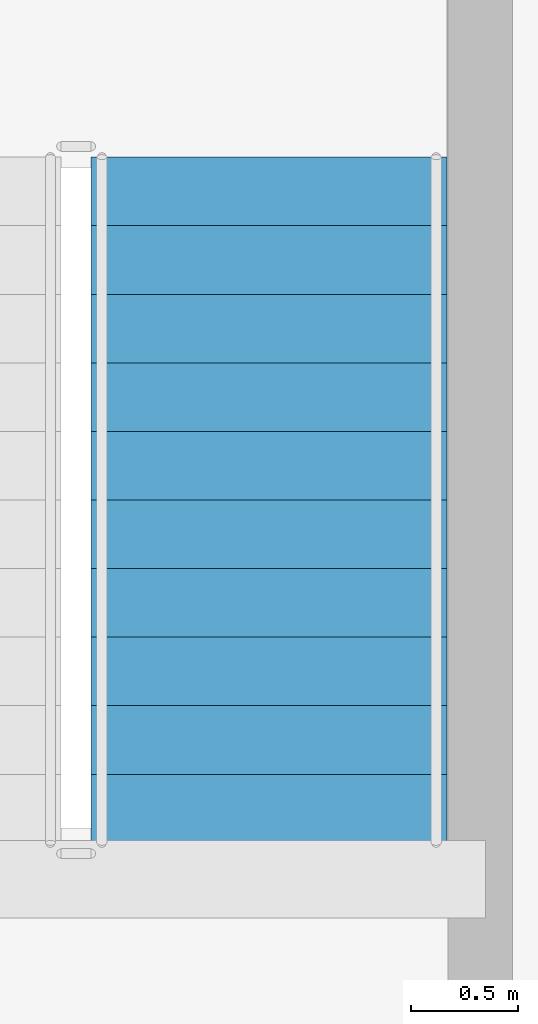
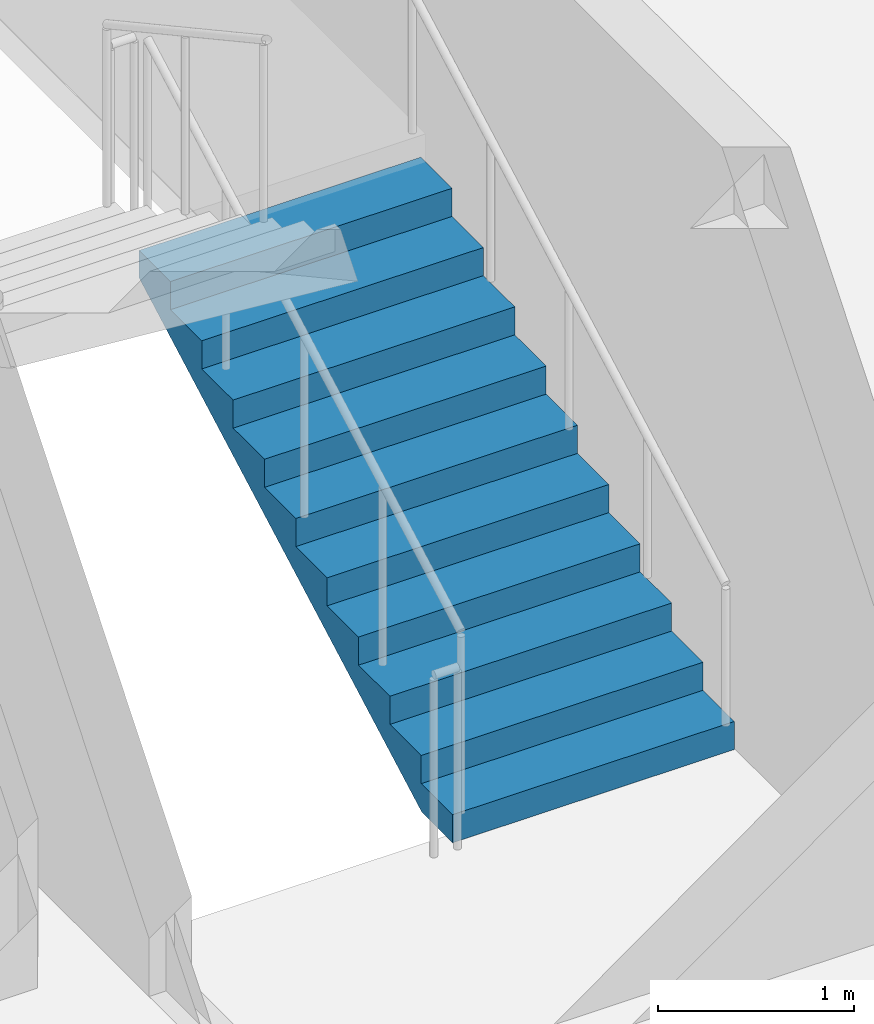
# One storey, part 24 of 26: 1 stair flight, 1 element without a shape of its own.
"""IFC4 building model written with IfcOpenShell, lengths in metres."""

import ifcopenshell
import ifcopenshell.guid

model = None  # the IFC model being written
_history = None  # IfcOwnerHistory: only IFC2X3 demands one
_inside = {}  # id of a spatial element -> (the spatial element, [elements in it])
_under = {}  # id of a project, library or spatial element -> (it, [spatial elements below it])
_declared = {}  # id of a project -> (the project, [libraries it declares])
_typed = {}  # id of a type object -> (the type object, [elements of that type])
_made_of = {}  # id of a material, layer set ... -> (it, [elements and type objects made of it])


def new_model(schema):
    """Start an empty IFC model of exactly this schema.

    Asked for "IFC4X3", IfcOpenShell would pick the latest addendum, in which some entities
    have other attributes; the version numbers below select the first issue.
    IFC2X3 requires an IfcOwnerHistory on every rooted entity: one is made here for all.
    """
    global model, _history
    if schema == "IFC4X3":
        model = ifcopenshell.file(schema_version=(4, 3, 0, 0))
    else:
        model = ifcopenshell.file(schema=schema)
    _inside.clear()
    _under.clear()
    _declared.clear()
    _typed.clear()
    _made_of.clear()
    _history = None
    if model.schema == "IFC2X3":
        org = make("IfcOrganization", Name="unknown")
        user = make(
            "IfcPersonAndOrganization",
            ThePerson=make("IfcPerson", FamilyName="unknown"),
            TheOrganization=org,
        )
        app = make(
            "IfcApplication",
            ApplicationDeveloper=org,
            Version="unknown",
            ApplicationFullName="unknown",
            ApplicationIdentifier="unknown",
        )
        _history = make(
            "IfcOwnerHistory",
            OwningUser=user,
            OwningApplication=app,
            ChangeAction="ADDED",
            CreationDate=0,
        )
    return model


def make(cls, **values):
    """One entity of the class cls with the attributes given. An attribute that is None is left unset."""
    return model.create_entity(
        cls, **{name: value for name, value in values.items() if value is not None}
    )


def rooted(cls, **values):
    """An entity with a GlobalId (a new one), such as an element, a storey or a relation."""
    return make(cls, GlobalId=ifcopenshell.guid.new(), OwnerHistory=_history, **values)


def si_unit(unit_type, name, prefix=None):
    """IfcSIUnit, for example si_unit("LENGTHUNIT", "METRE", prefix="MILLI")."""
    return make("IfcSIUnit", UnitType=unit_type, Prefix=prefix, Name=name)


def assignment(units):
    """IfcUnitAssignment: the units of a project."""
    return None if units is None else make("IfcUnitAssignment", Units=units)


def point(xyz):
    """IfcCartesianPoint."""
    return None if xyz is None else make("IfcCartesianPoint", Coordinates=xyz)


def direction(xyz):
    """IfcDirection."""
    return None if xyz is None else make("IfcDirection", DirectionRatios=xyz)


def frame(location, z_axis=None, x_axis=None):
    """IfcAxis2Placement3D, a coordinate frame: its origin and axes. An axis left out is left unset."""
    return make(
        "IfcAxis2Placement3D",
        Location=point(location),
        Axis=direction(z_axis),
        RefDirection=direction(x_axis),
    )


def origin():
    """The frame at (0, 0, 0) with its axes left unset."""
    return frame((0.0, 0.0, 0.0))


def place(relative_to, where):
    """IfcLocalPlacement: puts the frame where relative to a parent placement (None: the world)."""
    return make(
        "IfcLocalPlacement", PlacementRelTo=relative_to, RelativePlacement=where
    )


def context(
    kind, dimensions, precision=None, world=None, true_north=None, identifier=None
):
    """IfcGeometricRepresentationContext, for example the 3D "Model" context."""
    return make(
        "IfcGeometricRepresentationContext",
        ContextIdentifier=identifier,
        ContextType=kind,
        CoordinateSpaceDimension=dimensions,
        Precision=precision,
        WorldCoordinateSystem=world,
        TrueNorth=true_north,
    )


def subcontext(parent, identifier, kind, view, scale=None):
    """IfcGeometricRepresentationSubContext, for example "Body" below "Model"."""
    return make(
        "IfcGeometricRepresentationSubContext",
        ContextIdentifier=identifier,
        ContextType=kind,
        ParentContext=parent,
        TargetScale=scale,
        TargetView=view,
    )


def project(units=None, contexts=None):
    """IfcProject with its units and contexts."""
    return rooted(
        "IfcProject",
        Name="project",
        RepresentationContexts=contexts,
        UnitsInContext=assignment(units),
    )


def spatial(cls, under=None, at=None, **own):
    """A site, building, storey or space (cls), placed at a placement, below another one or the project."""
    s = rooted(cls, ObjectPlacement=at, **own)
    if under is not None:
        _under.setdefault(under.id(), (under, []))[1].append(s)
    return s


def polyline(points):
    """IfcPolyline through the points."""
    return make("IfcPolyline", Points=[point(p) for p in points])


def outline(outer, holes=None, kind="AREA"):
    """IfcArbitraryClosedProfileDef: a profile drawn as a closed curve; with holes, ...WithVoids."""
    if holes is None:
        return make("IfcArbitraryClosedProfileDef", ProfileType=kind, OuterCurve=outer)
    return make(
        "IfcArbitraryProfileDefWithVoids",
        ProfileType=kind,
        OuterCurve=outer,
        InnerCurves=holes,
    )


def extrude(swept, where, along, depth):
    """IfcExtrudedAreaSolid: the profile swept, set in the frame where, extruded along a direction by depth."""
    return make(
        "IfcExtrudedAreaSolid",
        SweptArea=swept,
        Position=where,
        ExtrudedDirection=direction(along),
        Depth=depth,
    )


def shape(context_of_items, identifier, shape_type, items):
    """IfcShapeRepresentation: the items that make up one representation, for example the "Body"."""
    return make(
        "IfcShapeRepresentation",
        ContextOfItems=context_of_items,
        RepresentationIdentifier=identifier,
        RepresentationType=shape_type,
        Items=items,
    )


def material(Name=None, Category=None):
    """IfcMaterial."""
    return make("IfcMaterial", Name=Name, Category=Category)


def made_of(thing, what):
    """Note that an element or type object is made of a material, layer set ...; save() writes the relation."""
    if what is not None:
        _made_of.setdefault(what.id(), (what, []))[1].append(thing)
    return thing


def type_object(cls, material=None, **own):
    """A type object (cls), such as IfcWallType, which elements share."""
    return made_of(rooted(cls, **own), material)


def element(
    cls,
    number,
    at=None,
    inside=None,
    cuts=None,
    type_object=None,
    material=None,
    context=None,
    identifier="Body",
    shape_type=None,
    held_by="IfcProductDefinitionShape",
    body=None,
    shapes=None,
    **own,
):
    """One element of the class cls, such as IfcWall. Its Tag is "e" and its number.

    at: its placement. inside: the storey or other place that contains it. cuts: it is an
    opening in that element (IfcRelVoidsElement). A single representation is given by context,
    identifier, shape_type and body (its items); several are given by shapes. held_by: the class
    of the entity that holds the representations. save() writes the other relations.
    """
    e = rooted(cls, Tag="e%d" % number, ObjectPlacement=at, **own)
    if body is not None:
        shapes = [shape(context, identifier, shape_type, body)]
    if shapes is not None:
        e.Representation = make(held_by, Representations=shapes)
    if inside is not None:
        _inside.setdefault(inside.id(), (inside, []))[1].append(e)
    if cuts is not None:
        rooted(
            "IfcRelVoidsElement", RelatingBuildingElement=cuts, RelatedOpeningElement=e
        )
    if type_object is not None:
        _typed.setdefault(type_object.id(), (type_object, []))[1].append(e)
    return made_of(e, material)


def aggregate(whole, parts):
    """IfcRelAggregates: a whole, such as a stair, and the parts it consists of."""
    return rooted("IfcRelAggregates", RelatingObject=whole, RelatedObjects=parts)


def save(model, path):
    """Write the relations noted so far, then the file.

    IfcRelAggregates (storeys below a building ...), IfcRelContainedInSpatialStructure (elements
    in a storey), IfcRelDefinesByType, IfcRelAssociatesMaterial and IfcRelDeclares: one each for
    every whole, place, type object, material and project.
    """
    for whole, parts in _under.values():
        aggregate(whole, parts)
    for where, things in _inside.values():
        rooted(
            "IfcRelContainedInSpatialStructure",
            RelatedElements=things,
            RelatingStructure=where,
        )
    for kind, things in _typed.values():
        rooted("IfcRelDefinesByType", RelatedObjects=things, RelatingType=kind)
    for what, things in _made_of.values():
        rooted("IfcRelAssociatesMaterial", RelatedObjects=things, RelatingMaterial=what)
    for by, libraries in _declared.values():
        rooted("IfcRelDeclares", RelatingContext=by, RelatedDefinitions=libraries)
    model.write(path)


model = new_model("IFC4")

# Units and contexts
model_context = context("Model", 3, precision=1e-05, world=origin(), true_north=direction((0.0, 1.0)))
body_context = subcontext(model_context, "Body", "Model", "MODEL_VIEW")
ifc_project = project(units=[si_unit("LENGTHUNIT", "METRE"), si_unit("AREAUNIT", "SQUARE_METRE"), si_unit("VOLUMEUNIT", "CUBIC_METRE"), si_unit("PLANEANGLEUNIT", "RADIAN"), si_unit("MASSUNIT", "GRAM", prefix="KILO")], contexts=[model_context])

# Site, building, storey
site_placement = place(None, origin())
site = spatial("IfcSite", under=ifc_project, at=site_placement, CompositionType="ELEMENT")
building_placement = place(site_placement, origin())
building = spatial("IfcBuilding", under=site, at=building_placement, Name="Kallvorn Hotel Tower", CompositionType="ELEMENT")
storey_placement = place(building_placement, frame((0.0, 0.0, 222.300048828125)))
storey = spatial("IfcBuildingStorey", under=building, at=storey_placement, Name="L55", CompositionType="ELEMENT", Elevation=222.300048828125)

# Stair, stair flight
ifc_material_1 = material(Name="Precast concrete C40/50", Category="concrete")
stair_type = type_object("IfcStairType", Name="STR_CORE_DOGLEG", PredefinedType="HALF_TURN_STAIR", material=ifc_material_1)
stair_placement = place(storey_placement, origin())
stair = element("IfcStair", 1, at=stair_placement, inside=storey, type_object=stair_type, Name="L55 Exit stair ST2", PredefinedType="HALF_TURN_STAIR")
ifc_material_2 = material(Name="Precast concrete C40/50", Category="concrete")
stair_flight_type = type_object("IfcStairFlightType", Name="FLT_CORE_1660", PredefinedType="STRAIGHT", material=ifc_material_2)
stair_flight_placement = place(storey_placement, frame((13.22998046875, -3.139892578125, 0.0), z_axis=(0.0, 0.0, 1.0), x_axis=(0.0, 1.0, 0.0)))
stair_flight = element("IfcStairFlight", 2, at=stair_flight_placement, type_object=stair_flight_type, Name="ST2 flight 1", NumberOfRisers=11, NumberOfTreads=10, PredefinedType="STRAIGHT", RiserHeight=0.175, TreadLength=0.32, context=body_context, shape_type="SweptSolid", body=[
    extrude(outline(polyline([(0.0, 0.0), (0.0, 0.175048828125), (0.320068359375, 0.175048828125), (0.320068359375, 0.35009765625), (0.639892578125, 0.35009765625), (0.639892578125, 0.52490234375), (0.9599609375, 0.52490234375), (0.9599609375, 0.699951171875), (1.280029296875, 0.699951171875), (1.280029296875, 0.875), (1.60009765625, 0.875), (1.60009765625, 1.050048828125), (1.919921875, 1.050048828125), (1.919921875, 1.22509765625), (2.239990234375, 1.22509765625), (2.239990234375, 1.39990234375), (2.56005859375, 1.39990234375), (2.56005859375, 1.574951171875), (2.8798828125, 1.574951171875), (2.8798828125, 1.75), (3.199951171875, 1.75), (3.199951171875, 1.925048828125), (3.199951171875, 1.5791015625), (0.3125, 0.0), (0.0, 0.0)])), frame((0.0, 0.830078125, 0.0), z_axis=(0.0, -1.0, 0.0), x_axis=(1.0, 0.0, 0.0)), (0.0, 0.0, 1.0), 1.659912109375),
])
aggregate(stair, [stair_flight])

save(model, "model.ifc")
